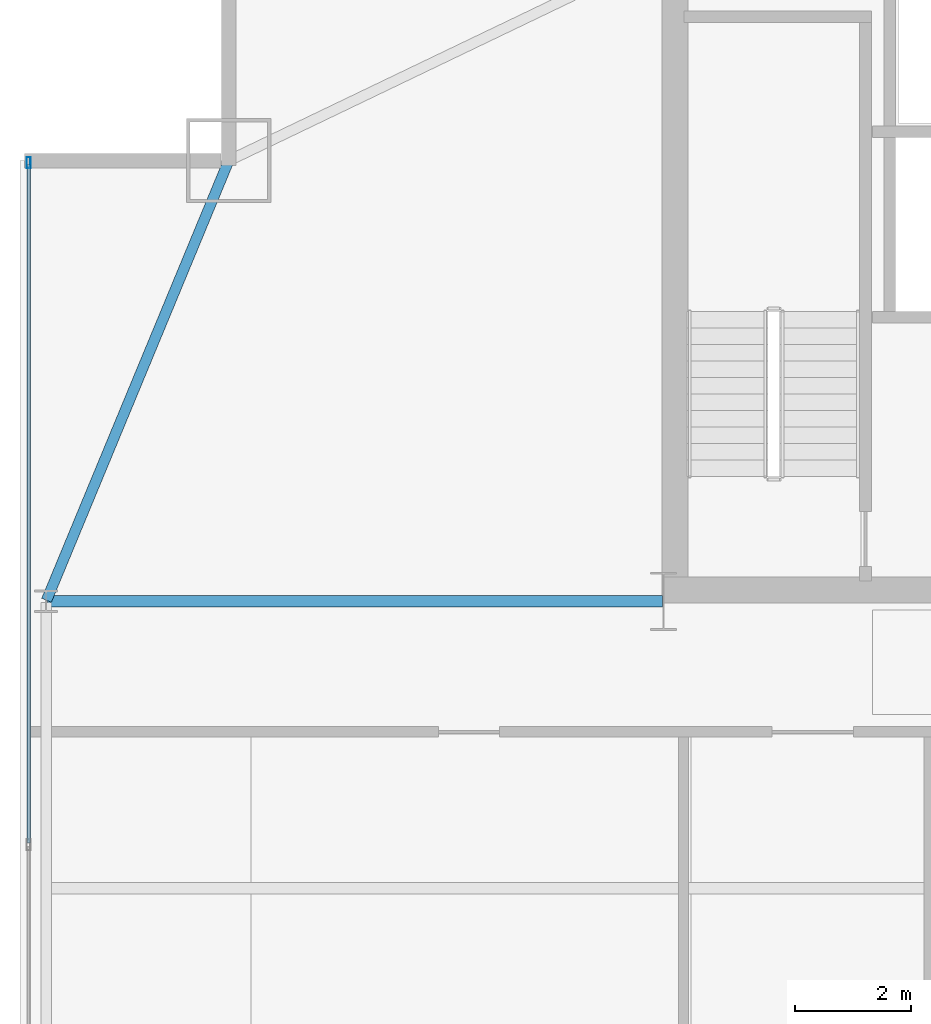
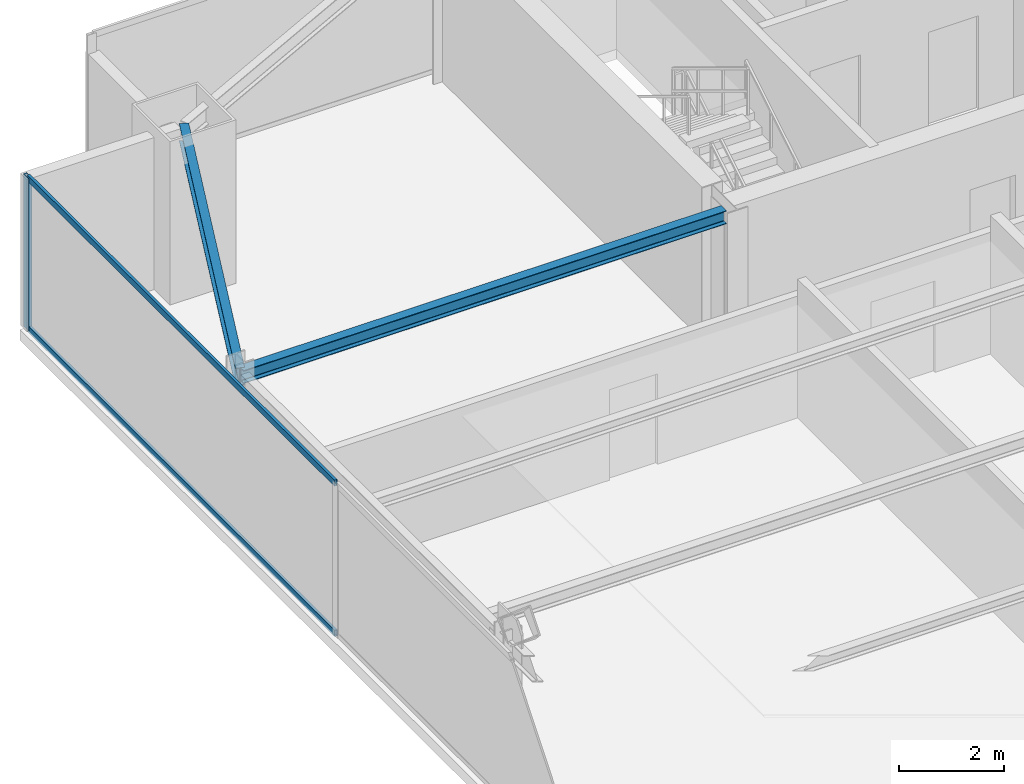
# One storey, part 21 of 37: 3 members, 2 beams, 1 element without a shape of its own.
"""IFC4 building model written with IfcOpenShell, lengths in metres."""

from ifc_helpers import new_model, si_unit, direction, frame, origin, origin_2d, place, context, subcontext, project, spatial, hollow_rectangle, i_section, extrude, source, transform, mapped, material, layer, layer_set, material_profile, profile_set, type_object, type_shapes, element, aggregate, save


model = new_model("IFC4")

# Units and contexts
model_context = context("Model", 3, precision=1e-05, world=origin(), true_north=direction((0.0, 1.0)))
body_context = subcontext(model_context, "Body", "Model", "MODEL_VIEW")
ifc_project = project(units=[si_unit("LENGTHUNIT", "METRE"), si_unit("AREAUNIT", "SQUARE_METRE"), si_unit("VOLUMEUNIT", "CUBIC_METRE"), si_unit("PLANEANGLEUNIT", "RADIAN"), si_unit("MASSUNIT", "GRAM", prefix="KILO")], contexts=[model_context])

# Site, building, storey
site_placement = place(None, origin())
site = spatial("IfcSite", under=ifc_project, at=site_placement, CompositionType="ELEMENT")
building_placement = place(site_placement, origin())
building = spatial("IfcBuilding", under=site, at=building_placement, Name="Varnel Quay Broadcast Tower", CompositionType="ELEMENT")
storey_placement = place(building_placement, frame((0.0, 0.0, 125.800048828125)))
storey = spatial("IfcBuildingStorey", under=building, at=storey_placement, Name="L30", CompositionType="ELEMENT", Elevation=125.800048828125)

# Beams
ifc_material_1 = material(Name="Structural Steel CSA G40.21 350W", Category="steel")
ifc_material_profile_1 = material_profile(ifc_material_1, i_section(OverallWidth=0.180908203125, OverallDepth=0.4169921875, WebThickness=0.010986328125, FlangeThickness=0.018310546875, FilletRadius=0.011962890625, at=origin_2d()), Name="W410X85")
ifc_profile_set_1 = profile_set([ifc_material_profile_1], Name="Structural Steel CSA G40.21 350W")
beam_type_1 = type_object("IfcBeamType", Name="Beam_W410X85", PredefinedType="SPANDREL", material=ifc_profile_set_1)
shared_shape_1 = source(origin(), body_context, "Body", "SweptSolid", [
    extrude(i_section(OverallWidth=0.180908203125, OverallDepth=0.4169921875, WebThickness=0.010986328125, FlangeThickness=0.018310546875, FilletRadius=0.011962890625, at=origin_2d()), origin(), (0.0, 0.0, 1.0), 8.186767578125),
])
type_shapes(beam_type_1, [shared_shape_1])
beam_1_placement = place(storey_placement, frame((4.957763671875, 35.618408203125, 3.341552734375), z_axis=(0.382874132092, 0.923800519038, 0.0), x_axis=(-0.923800519038, 0.382874132092, 0.0)))
element("IfcBeam", 1, at=beam_1_placement, inside=storey, type_object=beam_type_1, Name="L30 West Spandrel TC-W3-MC-NW", PredefinedType="SPANDREL", context=body_context, shape_type="MappedRepresentation", body=[
    mapped(shared_shape_1, transform((0.0, 0.0, 0.0), x_axis=(1.0, 0.0, 0.0), y_axis=(0.0, 1.0, 0.0), z_axis=(0.0, 0.0, 1.0), scale=1.0)),
])
ifc_material_profile_2 = material_profile(ifc_material_1, i_section(OverallWidth=0.202880859375, OverallDepth=0.302978515625, WebThickness=0.007568359375, FlangeThickness=0.01318359375, FilletRadius=0.011962890625, at=origin_2d()), Name="W310X60")
ifc_profile_set_2 = profile_set([ifc_material_profile_2], Name="Structural Steel CSA G40.21 350W")
beam_type_2 = type_object("IfcBeamType", Name="Beam_W310X60", PredefinedType="JOIST", material=ifc_profile_set_2)
shared_shape_2 = source(origin(), body_context, "Body", "SweptSolid", [
    extrude(i_section(OverallWidth=0.202880859375, OverallDepth=0.302978515625, WebThickness=0.007568359375, FlangeThickness=0.01318359375, FilletRadius=0.011962890625, at=origin_2d()), origin(), (0.0, 0.0, 1.0), 10.610107421875),
])
type_shapes(beam_type_2, [shared_shape_2])
beam_2_placement = place(storey_placement, frame((4.969970703125, 35.60009765625, 3.3984375), z_axis=(1.0, 0.0, 0.0), x_axis=(0.0, 1.0, 0.0)))
element("IfcBeam", 2, at=beam_2_placement, inside=storey, type_object=beam_type_2, Name="L30 West Core Tie Joist", PredefinedType="JOIST", context=body_context, shape_type="MappedRepresentation", body=[
    mapped(shared_shape_2, transform((0.0, 0.0, 0.0), x_axis=(1.0, 0.0, 0.0), y_axis=(0.0, 1.0, 0.0), z_axis=(0.0, 0.0, 1.0), scale=1.0)),
])

# Curtain wall, members
ifc_material_2 = material(Name="Anodised Bronze Aluminium 6063-T6", Category="aluminium")
ifc_layer = layer(ifc_material_2, 0.18994140625, Name="Anodised Bronze Aluminium 6063-T6")
ifc_layer_set = layer_set([ifc_layer], Name="Anodised Bronze Aluminium 6063-T6")
curtain_wall_type = type_object("IfcCurtainWallType", Name="CW_LowerTower", PredefinedType="NOTDEFINED", material=ifc_layer_set)
curtain_wall_placement = place(storey_placement, origin())
curtain_wall = element("IfcCurtainWall", 3, at=curtain_wall_placement, inside=storey, type_object=curtain_wall_type, Name="L30 West Unitised Curtain Wall", PredefinedType="NOTDEFINED")
ifc_material_profile_3 = material_profile(ifc_material_2, hollow_rectangle(XDim=0.070068359375, YDim=0.18994140625, WallThickness=0.00390625, at=origin_2d()), Name="ALU70X190X4")
ifc_profile_set_3 = profile_set([ifc_material_profile_3], Name="Anodised Bronze Aluminium 6063-T6")
member_type_1 = type_object("IfcMemberType", Name="Mull_CWS-02", PredefinedType="MULLION", material=ifc_profile_set_3)
shared_shape_3 = source(origin(), body_context, "Body", "SweptSolid", [
    extrude(hollow_rectangle(XDim=0.070068359375, YDim=0.18994140625, WallThickness=0.00390625, at=origin_2d()), origin(), (0.0, 0.0, 1.0), 3.550048828125),
])
type_shapes(member_type_1, [shared_shape_3])
member_1_placement = place(storey_placement, frame((4.64990234375, 43.1650390625, 0.0), z_axis=(0.0, 0.0, 1.0), x_axis=(-1.0, 0.0, 0.0)))
member_1 = element("IfcMember", 4, at=member_1_placement, type_object=member_type_1, Name="CWS-02 mullion 4", PredefinedType="MULLION", context=body_context, shape_type="MappedRepresentation", body=[
    mapped(shared_shape_3, transform((0.0, 0.0, 0.0), x_axis=(1.0, 0.0, 0.0), y_axis=(0.0, 1.0, 0.0), z_axis=(0.0, 0.0, 1.0), scale=1.0)),
])
ifc_material_profile_4 = material_profile(ifc_material_2, hollow_rectangle(XDim=0.06005859375, YDim=0.14501953125, WallThickness=0.00341796875, at=origin_2d()), Name="ALU60X145X3.5")
ifc_profile_set_4 = profile_set([ifc_material_profile_4], Name="Anodised Bronze Aluminium 6063-T6")
member_type_2 = type_object("IfcMemberType", Name="Tran_CWS-02", PredefinedType="USERDEFINED", material=ifc_profile_set_4)
shared_shape_4 = source(origin(), body_context, "Body", "SweptSolid", [
    extrude(hollow_rectangle(XDim=0.06005859375, YDim=0.14501953125, WallThickness=0.00341796875, at=origin_2d()), origin(), (0.0, 0.0, 1.0), 11.69482421875),
])
type_shapes(member_type_2, [shared_shape_4])
member_2_placement = place(storey_placement, frame((4.64990234375, 31.43505859375, 0.030029296875), z_axis=(0.0, 1.0, 0.0), x_axis=(-1.0, 0.0, 0.0)))
member_2 = element("IfcMember", 5, at=member_2_placement, type_object=member_type_2, Name="CWS-02 transom 3.1", ObjectType="TRANSOM", PredefinedType="USERDEFINED", context=body_context, shape_type="MappedRepresentation", body=[
    mapped(shared_shape_4, transform((0.0, 0.0, 0.0), x_axis=(1.0, 0.0, 0.0), y_axis=(0.0, 1.0, 0.0), z_axis=(0.0, 0.0, 1.0), scale=1.0)),
])
member_3_placement = place(storey_placement, frame((4.64990234375, 31.43505859375, 3.52001953125), z_axis=(0.0, 1.0, 0.0), x_axis=(-1.0, 0.0, 0.0)))
member_3 = element("IfcMember", 6, at=member_3_placement, type_object=member_type_2, Name="CWS-02 transom 3.2", ObjectType="TRANSOM", PredefinedType="USERDEFINED", context=body_context, shape_type="MappedRepresentation", body=[
    mapped(shared_shape_4, transform((0.0, 0.0, 0.0), x_axis=(1.0, 0.0, 0.0), y_axis=(0.0, 1.0, 0.0), z_axis=(0.0, 0.0, 1.0), scale=1.0)),
])
aggregate(curtain_wall, [member_1, member_2, member_3])

save(model, "model.ifc")
